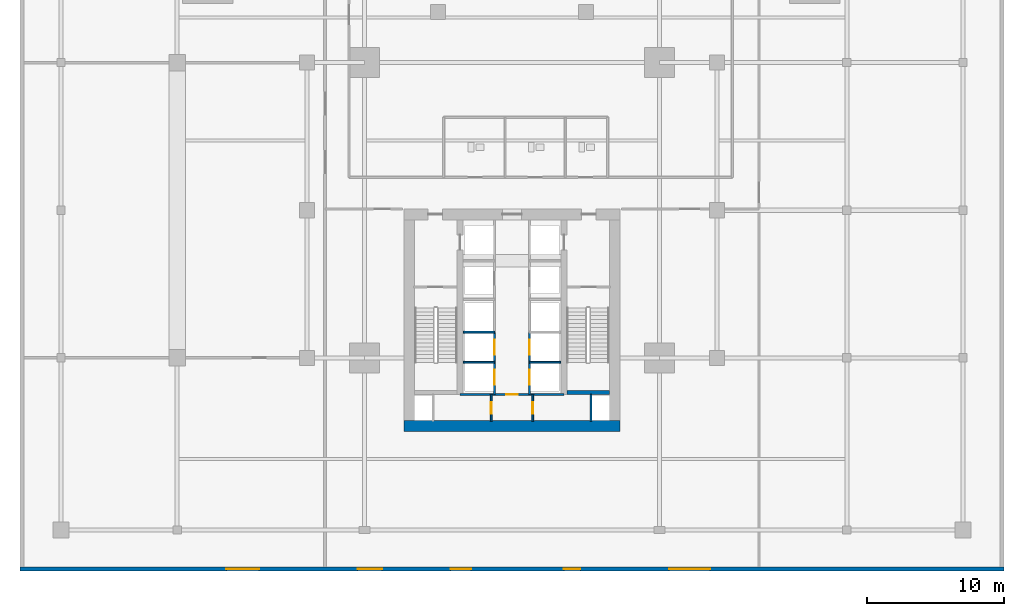
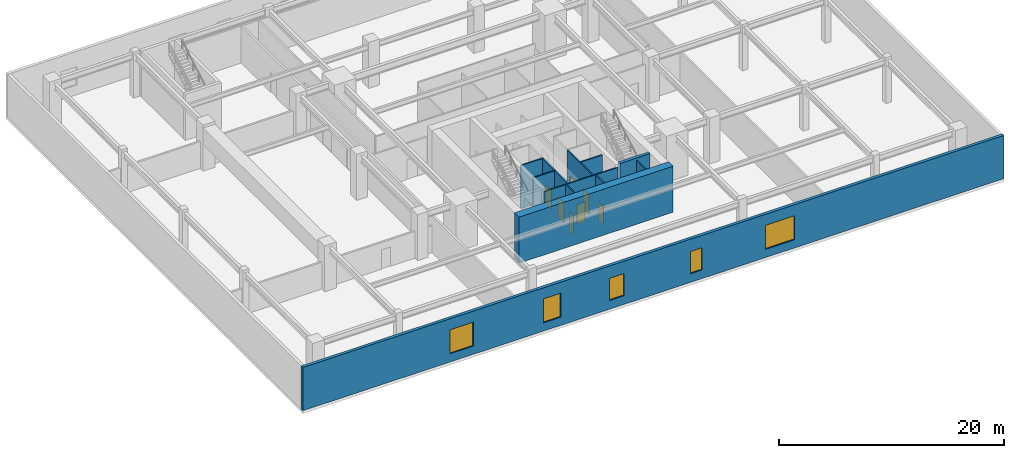
# One storey, part 4 of 10: 12 walls, 7 doors, 5 windows, 12 openings.
"""IFC4 building model written with IfcOpenShell, lengths in metres."""

from ifc_helpers import new_model, si_unit, direction, frame, frame_2d, origin, place, context, subcontext, project, spatial, rectangle, extrude, material, layer, layer_set, type_object, element, fill, save


model = new_model("IFC4")

# Units and contexts
model_context = context("Model", 3, precision=1e-05, world=origin(), true_north=direction((0.0, 1.0)))
body_context = subcontext(model_context, "Body", "Model", "MODEL_VIEW")
ifc_project = project(units=[si_unit("LENGTHUNIT", "METRE"), si_unit("AREAUNIT", "SQUARE_METRE"), si_unit("VOLUMEUNIT", "CUBIC_METRE"), si_unit("PLANEANGLEUNIT", "RADIAN"), si_unit("MASSUNIT", "GRAM", prefix="KILO")], contexts=[model_context])

# Site, building, storey
site_placement = place(None, origin())
site = spatial("IfcSite", under=ifc_project, at=site_placement, CompositionType="ELEMENT")
building_placement = place(site_placement, origin())
building = spatial("IfcBuilding", under=site, at=building_placement, Name="Krantzveldt Concourse Tower", CompositionType="ELEMENT")
storey_placement = place(building_placement, frame((0.0, 0.0, 5.39990234375)))
storey = spatial("IfcBuildingStorey", under=building, at=storey_placement, Name="L01", CompositionType="ELEMENT", Elevation=5.39990234375)

# Wall, openings, windows
ifc_material_1 = material(Name="Concrete C40/50", Category="concrete")
ifc_layer_1 = layer(ifc_material_1, 0.300048828125, Name="Concrete C40/50", Category="concrete")
ifc_layer_set_1 = layer_set([ifc_layer_1], Name="Concrete C40/50 (WL-EXT-GRAN300)")
wall_type_1 = type_object("IfcWallType", Name="WL-EXT-GRAN300", PredefinedType="SOLIDWALL", material=ifc_layer_set_1)
wall_1_placement = place(storey_placement, frame((72.0, 0.449951171875, 0.0), z_axis=(0.0, 0.0, 1.0), x_axis=(-1.0, 0.0, 0.0)))
wall_1 = element("IfcWall", 1, at=wall_1_placement, inside=storey, type_object=wall_type_1, Name="EW-L01-S", PredefinedType="SOLIDWALL", context=body_context, shape_type="SweptSolid", body=[
    extrude(rectangle(XDim=72.0, YDim=0.300048828125, at=frame_2d((36.0, 0.0))), origin(), (0.0, 0.0, 1.0), 4.7001953125),
])
opening_1_placement = place(wall_1_placement, frame((54.5, 0.0, 0.89990234375)))
opening_1 = element("IfcOpeningElement", 2, at=opening_1_placement, cuts=wall_1, Name="Opening W-POD-2400x2600", PredefinedType="OPENING", context=body_context, shape_type="SweptSolid", body=[
    extrude(rectangle(XDim=2.39990234375, YDim=2.60009765625, at=frame_2d((1.199951171875, 1.300048828125))), frame((0.0, 0.16015625, 0.0), z_axis=(0.0, -1.0, 0.0), x_axis=(1.0, 0.0, 0.0)), (0.0, 0.0, 1.0), 0.320068359375),
])
opening_2_placement = place(wall_1_placement, frame((45.5, 0.0, 0.89990234375)))
opening_2 = element("IfcOpeningElement", 3, at=opening_2_placement, cuts=wall_1, Name="Opening W-POD-1800x2600", PredefinedType="OPENING", context=body_context, shape_type="SweptSolid", body=[
    extrude(rectangle(XDim=1.800048828125, YDim=2.60009765625, at=frame_2d((0.89990234375, 1.300048828125))), frame((0.0, 0.16015625, 0.0), z_axis=(0.0, -1.0, 0.0), x_axis=(1.0, 0.0, 0.0)), (0.0, 0.0, 1.0), 0.320068359375),
])
opening_3_placement = place(wall_1_placement, frame((39.0, 0.0, 0.949951171875)))
opening_3 = element("IfcOpeningElement", 4, at=opening_3_placement, cuts=wall_1, Name="Opening W-POD-1500x2400", PredefinedType="OPENING", context=body_context, shape_type="SweptSolid", body=[
    extrude(rectangle(XDim=1.5, YDim=2.39990234375, at=frame_2d((0.75, 1.199951171875))), frame((0.0, 0.16015625, 0.0), z_axis=(0.0, -1.0, 0.0), x_axis=(1.0, 0.0, 0.0)), (0.0, 0.0, 1.0), 0.320068359375),
])
opening_4_placement = place(wall_1_placement, frame((31.0, 0.0, 0.949951171875)))
opening_4 = element("IfcOpeningElement", 5, at=opening_4_placement, cuts=wall_1, Name="Opening W-POD-1200x2400", PredefinedType="OPENING", context=body_context, shape_type="SweptSolid", body=[
    extrude(rectangle(XDim=1.199951171875, YDim=2.39990234375, at=frame_2d((0.60009765625, 1.199951171875))), frame((0.0, 0.16015625, 0.0), z_axis=(0.0, -1.0, 0.0), x_axis=(1.0, 0.0, 0.0)), (0.0, 0.0, 1.0), 0.320068359375),
])
opening_5_placement = place(wall_1_placement, frame((21.5, 0.0, 0.89990234375)))
opening_5 = element("IfcOpeningElement", 6, at=opening_5_placement, cuts=wall_1, Name="Opening W-POD-3000x2600", PredefinedType="OPENING", context=body_context, shape_type="SweptSolid", body=[
    extrude(rectangle(XDim=3.0, YDim=2.60009765625, at=frame_2d((1.5, 1.300048828125))), frame((0.0, 0.16015625, 0.0), z_axis=(0.0, -1.0, 0.0), x_axis=(1.0, 0.0, 0.0)), (0.0, 0.0, 1.0), 0.320068359375),
])
ifc_material_2 = material(Name="Bronze-tinted laminated low-E IGU glass", Category="glass")
window_type_1 = type_object("IfcWindowType", Name="WN-POD-1200x2400", PartitioningType="SINGLE_PANEL", PredefinedType="WINDOW", material=ifc_material_2)
window_1_placement = place(opening_4_placement, origin())
window_1 = element("IfcWindow", 7, at=window_1_placement, inside=storey, type_object=window_type_1, Name="WN-L01-S04", OverallHeight=2.39990234375, OverallWidth=1.199951171875, PartitioningType="SINGLE_PANEL", PredefinedType="WINDOW", context=body_context, shape_type="SweptSolid", body=[
    extrude(rectangle(XDim=1.199951171875, YDim=2.39990234375, at=frame_2d((0.60009765625, 1.199951171875))), frame((0.0, 0.030029296875, 0.0), z_axis=(0.0, -1.0, 0.0), x_axis=(1.0, 0.0, 0.0)), (0.0, 0.0, 1.0), 0.06005859375),
])
fill(opening_4, window_1)
window_type_2 = type_object("IfcWindowType", Name="WN-POD-1500x2400", PartitioningType="SINGLE_PANEL", PredefinedType="WINDOW", material=ifc_material_2)
window_2_placement = place(opening_3_placement, origin())
window_2 = element("IfcWindow", 8, at=window_2_placement, inside=storey, type_object=window_type_2, Name="WN-L01-S03", OverallHeight=2.39990234375, OverallWidth=1.5, PartitioningType="SINGLE_PANEL", PredefinedType="WINDOW", context=body_context, shape_type="SweptSolid", body=[
    extrude(rectangle(XDim=1.5, YDim=2.39990234375, at=frame_2d((0.75, 1.199951171875))), frame((0.0, 0.030029296875, 0.0), z_axis=(0.0, -1.0, 0.0), x_axis=(1.0, 0.0, 0.0)), (0.0, 0.0, 1.0), 0.06005859375),
])
fill(opening_3, window_2)
window_type_3 = type_object("IfcWindowType", Name="WN-POD-1800x2600", PartitioningType="SINGLE_PANEL", PredefinedType="WINDOW", material=ifc_material_2)
window_3_placement = place(opening_2_placement, origin())
window_3 = element("IfcWindow", 9, at=window_3_placement, inside=storey, type_object=window_type_3, Name="WN-L01-S02", OverallHeight=2.60009765625, OverallWidth=1.800048828125, PartitioningType="SINGLE_PANEL", PredefinedType="WINDOW", context=body_context, shape_type="SweptSolid", body=[
    extrude(rectangle(XDim=1.800048828125, YDim=2.60009765625, at=frame_2d((0.89990234375, 1.300048828125))), frame((0.0, 0.030029296875, 0.0), z_axis=(0.0, -1.0, 0.0), x_axis=(1.0, 0.0, 0.0)), (0.0, 0.0, 1.0), 0.06005859375),
])
fill(opening_2, window_3)
window_type_4 = type_object("IfcWindowType", Name="WN-POD-2400x2600", PartitioningType="SINGLE_PANEL", PredefinedType="WINDOW", material=ifc_material_2)
window_4_placement = place(opening_1_placement, origin())
window_4 = element("IfcWindow", 10, at=window_4_placement, inside=storey, type_object=window_type_4, Name="WN-L01-S01", OverallHeight=2.60009765625, OverallWidth=2.39990234375, PartitioningType="SINGLE_PANEL", PredefinedType="WINDOW", context=body_context, shape_type="SweptSolid", body=[
    extrude(rectangle(XDim=2.39990234375, YDim=2.60009765625, at=frame_2d((1.199951171875, 1.300048828125))), frame((0.0, 0.030029296875, 0.0), z_axis=(0.0, -1.0, 0.0), x_axis=(1.0, 0.0, 0.0)), (0.0, 0.0, 1.0), 0.06005859375),
])
fill(opening_1, window_4)
window_type_5 = type_object("IfcWindowType", Name="WN-POD-3000x2600", PartitioningType="SINGLE_PANEL", PredefinedType="WINDOW", material=ifc_material_2)
window_5_placement = place(opening_5_placement, origin())
window_5 = element("IfcWindow", 11, at=window_5_placement, inside=storey, type_object=window_type_5, Name="WN-L01-S05", OverallHeight=2.60009765625, OverallWidth=3.0, PartitioningType="SINGLE_PANEL", PredefinedType="WINDOW", context=body_context, shape_type="SweptSolid", body=[
    extrude(rectangle(XDim=3.0, YDim=2.60009765625, at=frame_2d((1.5, 1.300048828125))), frame((0.0, 0.030029296875, 0.0), z_axis=(0.0, -1.0, 0.0), x_axis=(1.0, 0.0, 0.0)), (0.0, 0.0, 1.0), 0.06005859375),
])
fill(opening_5, window_5)

# Wall, opening, door
ifc_material_3 = material(Name="Fire-rated gypsum plasterboard on steel stud", Category="steel")
ifc_layer_2 = layer(ifc_material_3, 0.1201171875, Name="Fire-rated gypsum plasterboard on steel stud", Category="steel")
ifc_layer_set_2 = layer_set([ifc_layer_2], Name="Fire-rated gypsum plasterboard on steel stud (WL-PART-120)")
wall_type_2 = type_object("IfcWallType", Name="WL-PART-120", PredefinedType="PARTITIONING", material=ifc_layer_set_2)
wall_2_placement = place(storey_placement, frame((32.2099609375, 13.219970703125, 0.0), z_axis=(0.0, 0.0, 1.0), x_axis=(1.0, 0.0, 0.0)))
wall_2 = element("IfcWall", 12, at=wall_2_placement, inside=storey, type_object=wall_type_2, Name="WP-L01-CS2H", PredefinedType="PARTITIONING", context=body_context, shape_type="SweptSolid", body=[
    extrude(rectangle(XDim=7.580078125, YDim=0.1201171875, at=frame_2d((3.7900390625, 0.0))), origin(), (0.0, 0.0, 1.0), 4.7001953125),
])
opening_6_placement = place(wall_2_placement, frame((3.364990234375, 0.0, 0.0)))
opening_6 = element("IfcOpeningElement", 13, at=opening_6_placement, cuts=wall_2, Name="Opening D-IN085", PredefinedType="OPENING", context=body_context, shape_type="SweptSolid", body=[
    extrude(rectangle(XDim=0.85009765625, YDim=2.10009765625, at=frame_2d((0.425048828125, 1.050048828125))), frame((0.0, 0.070068359375, 0.0), z_axis=(0.0, -1.0, 0.0), x_axis=(1.0, 0.0, 0.0)), (0.0, 0.0, 1.0), 0.14013671875),
])
ifc_material_4 = material(Name="Hardwood timber", Category="wood")
door_type_1 = type_object("IfcDoorType", Name="DR-INT-850", OperationType="SINGLE_SWING_LEFT", PredefinedType="DOOR", material=ifc_material_4)
door_1_placement = place(opening_6_placement, origin())
door_1 = element("IfcDoor", 14, at=door_1_placement, inside=storey, type_object=door_type_1, Name="DR-L01-LLBS", OperationType="SINGLE_SWING_RIGHT", OverallHeight=2.10009765625, OverallWidth=0.85009765625, PredefinedType="DOOR", context=body_context, shape_type="SweptSolid", body=[
    extrude(rectangle(XDim=0.85009765625, YDim=2.10009765625, at=frame_2d((0.425048828125, 1.050048828125))), frame((0.0, 0.02490234375, 0.0), z_axis=(0.0, -1.0, 0.0), x_axis=(1.0, 0.0, 0.0)), (0.0, 0.0, 1.0), 0.050048828125),
])
fill(opening_6, door_1)

wall_3_placement = place(storey_placement, frame((34.47998046875, 11.25, 0.0), z_axis=(0.0, 0.0, 1.0), x_axis=(0.0, 1.0, 0.0)))
wall_3 = element("IfcWall", 15, at=wall_3_placement, inside=storey, type_object=wall_type_2, Name="WP-L01-CSB-VL", PredefinedType="PARTITIONING", context=body_context, shape_type="SweptSolid", body=[
    extrude(rectangle(XDim=1.969970703125, YDim=0.1201171875, at=frame_2d((0.98486328125, 0.0))), origin(), (0.0, 0.0, 1.0), 4.7001953125),
])
opening_7_placement = place(wall_3_placement, frame((0.544921875, 0.0, 0.0)))
opening_7 = element("IfcOpeningElement", 16, at=opening_7_placement, cuts=wall_3, Name="Opening D-IN085", PredefinedType="OPENING", context=body_context, shape_type="SweptSolid", body=[
    extrude(rectangle(XDim=0.85009765625, YDim=2.10009765625, at=frame_2d((0.425048828125, 1.050048828125))), frame((0.0, 0.070068359375, 0.0), z_axis=(0.0, -1.0, 0.0), x_axis=(1.0, 0.0, 0.0)), (0.0, 0.0, 1.0), 0.14013671875),
])
door_2_placement = place(opening_7_placement, origin())
door_2 = element("IfcDoor", 17, at=door_2_placement, inside=storey, type_object=door_type_1, Name="DR-L01-CSB1", OperationType="SINGLE_SWING_LEFT", OverallHeight=2.10009765625, OverallWidth=0.85009765625, PredefinedType="DOOR", context=body_context, shape_type="SweptSolid", body=[
    extrude(rectangle(XDim=0.85009765625, YDim=2.10009765625, at=frame_2d((0.425048828125, 1.050048828125))), frame((0.0, 0.02490234375, 0.0), z_axis=(0.0, -1.0, 0.0), x_axis=(1.0, 0.0, 0.0)), (0.0, 0.0, 1.0), 0.050048828125),
])
fill(opening_7, door_2)

wall_4_placement = place(storey_placement, frame((37.52001953125, 11.25, 0.0), z_axis=(0.0, 0.0, 1.0), x_axis=(0.0, 1.0, 0.0)))
wall_4 = element("IfcWall", 18, at=wall_4_placement, inside=storey, type_object=wall_type_2, Name="WP-L01-CSB-VR", PredefinedType="PARTITIONING", context=body_context, shape_type="SweptSolid", body=[
    extrude(rectangle(XDim=1.969970703125, YDim=0.1201171875, at=frame_2d((0.98486328125, 0.0))), origin(), (0.0, 0.0, 1.0), 4.7001953125),
])
opening_8_placement = place(wall_4_placement, frame((0.544921875, 0.0, 0.0)))
opening_8 = element("IfcOpeningElement", 19, at=opening_8_placement, cuts=wall_4, Name="Opening D-IN085", PredefinedType="OPENING", context=body_context, shape_type="SweptSolid", body=[
    extrude(rectangle(XDim=0.85009765625, YDim=2.10009765625, at=frame_2d((0.425048828125, 1.050048828125))), frame((0.0, 0.070068359375, 0.0), z_axis=(0.0, -1.0, 0.0), x_axis=(1.0, 0.0, 0.0)), (0.0, 0.0, 1.0), 0.14013671875),
])
door_3_placement = place(opening_8_placement, origin())
door_3 = element("IfcDoor", 20, at=door_3_placement, inside=storey, type_object=door_type_1, Name="DR-L01-CSB2", OperationType="SINGLE_SWING_RIGHT", OverallHeight=2.10009765625, OverallWidth=0.85009765625, PredefinedType="DOOR", context=body_context, shape_type="SweptSolid", body=[
    extrude(rectangle(XDim=0.85009765625, YDim=2.10009765625, at=frame_2d((0.425048828125, 1.050048828125))), frame((0.0, 0.02490234375, 0.0), z_axis=(0.0, -1.0, 0.0), x_axis=(1.0, 0.0, 0.0)), (0.0, 0.0, 1.0), 0.050048828125),
])
fill(opening_8, door_3)

# Wall
ifc_layer_3 = layer(ifc_material_3, 0.139892578125, Name="Fire-rated gypsum plasterboard on steel stud", Category="steel")
ifc_layer_set_3 = layer_set([ifc_layer_3], Name="Fire-rated gypsum plasterboard on steel stud (WL-PART-FR140)")
wall_type_3 = type_object("IfcWallType", Name="WL-PART-FR140", PredefinedType="PARTITIONING", material=ifc_layer_set_3)
wall_5_placement = place(storey_placement, frame((32.449951171875, 17.780029296875, 0.0), z_axis=(0.0, 0.0, 1.0), x_axis=(1.0, 0.0, 0.0)))
element("IfcWall", 21, at=wall_5_placement, inside=storey, type_object=wall_type_3, Name="WP-L01-DIVW2", PredefinedType="PARTITIONING", context=body_context, shape_type="SweptSolid", body=[
    extrude(rectangle(XDim=2.27001953125, YDim=0.139892578125, at=frame_2d((1.135009765625, 0.0))), origin(), (0.0, 0.0, 1.0), 4.7001953125),
])

# Wall, openings, doors
wall_6_placement = place(storey_placement, frame((34.719970703125, 13.219970703125, 0.0), z_axis=(0.0, 0.0, 1.0), x_axis=(0.0, 1.0, 0.0)))
wall_6 = element("IfcWall", 22, at=wall_6_placement, inside=storey, type_object=wall_type_3, Name="WP-L01-SHSW", PredefinedType="PARTITIONING", context=body_context, shape_type="SweptSolid", body=[
    extrude(rectangle(XDim=4.56005859375, YDim=0.139892578125, at=frame_2d((2.280029296875, 0.0))), origin(), (0.0, 0.0, 1.0), 4.7001953125),
])
opening_9_placement = place(wall_6_placement, frame((0.7099609375, 0.0, 0.0)))
opening_9 = element("IfcOpeningElement", 23, at=opening_9_placement, cuts=wall_6, Name="Opening LD", PredefinedType="OPENING", context=body_context, shape_type="SweptSolid", body=[
    extrude(rectangle(XDim=1.10009765625, YDim=2.14990234375, at=frame_2d((0.550048828125, 1.074951171875))), frame((0.0, 0.080078125, 0.0), z_axis=(0.0, -1.0, 0.0), x_axis=(1.0, 0.0, 0.0)), (0.0, 0.0, 1.0), 0.159912109375),
])
opening_10_placement = place(wall_6_placement, frame((2.909912109375, 0.0, 0.0)))
opening_10 = element("IfcOpeningElement", 24, at=opening_10_placement, cuts=wall_6, Name="Opening LD", PredefinedType="OPENING", context=body_context, shape_type="SweptSolid", body=[
    extrude(rectangle(XDim=1.10009765625, YDim=2.14990234375, at=frame_2d((0.550048828125, 1.074951171875))), frame((0.0, 0.080078125, 0.0), z_axis=(0.0, -1.0, 0.0), x_axis=(1.0, 0.0, 0.0)), (0.0, 0.0, 1.0), 0.159912109375),
])
ifc_material_5 = material(Name="Stainless steel 316L", Category="steel")
door_type_2 = type_object("IfcDoorType", Name="DR-SLIDE-LD1100", OperationType="DOUBLE_DOOR_SLIDING", PredefinedType="DOOR", material=ifc_material_5)
door_4_placement = place(opening_9_placement, origin())
door_4 = element("IfcDoor", 25, at=door_4_placement, inside=storey, type_object=door_type_2, Name="LD-L01-PL1", OperationType="DOUBLE_DOOR_SLIDING", OverallHeight=2.14990234375, OverallWidth=1.10009765625, PredefinedType="DOOR", context=body_context, shape_type="SweptSolid", body=[
    extrude(rectangle(XDim=1.10009765625, YDim=2.14990234375, at=frame_2d((0.550048828125, 1.074951171875))), frame((0.0, 0.02490234375, 0.0), z_axis=(0.0, -1.0, 0.0), x_axis=(1.0, 0.0, 0.0)), (0.0, 0.0, 1.0), 0.050048828125),
])
fill(opening_9, door_4)
door_5_placement = place(opening_10_placement, origin())
door_5 = element("IfcDoor", 26, at=door_5_placement, inside=storey, type_object=door_type_2, Name="LD-L01-PL2", OperationType="DOUBLE_DOOR_SLIDING", OverallHeight=2.14990234375, OverallWidth=1.10009765625, PredefinedType="DOOR", context=body_context, shape_type="SweptSolid", body=[
    extrude(rectangle(XDim=1.10009765625, YDim=2.14990234375, at=frame_2d((0.550048828125, 1.074951171875))), frame((0.0, 0.02490234375, 0.0), z_axis=(0.0, -1.0, 0.0), x_axis=(1.0, 0.0, 0.0)), (0.0, 0.0, 1.0), 0.050048828125),
])
fill(opening_10, door_5)

# Wall
wall_7_placement = place(storey_placement, frame((32.449951171875, 15.580078125, 0.0), z_axis=(0.0, 0.0, 1.0), x_axis=(1.0, 0.0, 0.0)))
element("IfcWall", 27, at=wall_7_placement, inside=storey, type_object=wall_type_3, Name="WP-L01-DIVW1", PredefinedType="PARTITIONING", context=body_context, shape_type="SweptSolid", body=[
    extrude(rectangle(XDim=2.27001953125, YDim=0.139892578125, at=frame_2d((1.135009765625, 0.0))), origin(), (0.0, 0.0, 1.0), 4.7001953125),
])

# Wall, openings, doors
wall_8_placement = place(storey_placement, frame((37.280029296875, 13.219970703125, 0.0), z_axis=(0.0, 0.0, 1.0), x_axis=(0.0, 1.0, 0.0)))
wall_8 = element("IfcWall", 28, at=wall_8_placement, inside=storey, type_object=wall_type_3, Name="WP-L01-SHSE", PredefinedType="PARTITIONING", context=body_context, shape_type="SweptSolid", body=[
    extrude(rectangle(XDim=4.56005859375, YDim=0.139892578125, at=frame_2d((2.280029296875, 0.0))), origin(), (0.0, 0.0, 1.0), 4.7001953125),
])
opening_11_placement = place(wall_8_placement, frame((0.7099609375, 0.0, 0.0)))
opening_11 = element("IfcOpeningElement", 29, at=opening_11_placement, cuts=wall_8, Name="Opening LD", PredefinedType="OPENING", context=body_context, shape_type="SweptSolid", body=[
    extrude(rectangle(XDim=1.10009765625, YDim=2.14990234375, at=frame_2d((0.550048828125, 1.074951171875))), frame((0.0, 0.080078125, 0.0), z_axis=(0.0, -1.0, 0.0), x_axis=(1.0, 0.0, 0.0)), (0.0, 0.0, 1.0), 0.159912109375),
])
opening_12_placement = place(wall_8_placement, frame((2.909912109375, 0.0, 0.0)))
opening_12 = element("IfcOpeningElement", 30, at=opening_12_placement, cuts=wall_8, Name="Opening LD", PredefinedType="OPENING", context=body_context, shape_type="SweptSolid", body=[
    extrude(rectangle(XDim=1.10009765625, YDim=2.14990234375, at=frame_2d((0.550048828125, 1.074951171875))), frame((0.0, 0.080078125, 0.0), z_axis=(0.0, -1.0, 0.0), x_axis=(1.0, 0.0, 0.0)), (0.0, 0.0, 1.0), 0.159912109375),
])
door_6_placement = place(opening_11_placement, origin())
door_6 = element("IfcDoor", 31, at=door_6_placement, inside=storey, type_object=door_type_2, Name="LD-L01-PM1", OperationType="DOUBLE_DOOR_SLIDING", OverallHeight=2.14990234375, OverallWidth=1.10009765625, PredefinedType="DOOR", context=body_context, shape_type="SweptSolid", body=[
    extrude(rectangle(XDim=1.10009765625, YDim=2.14990234375, at=frame_2d((0.550048828125, 1.074951171875))), frame((0.0, 0.02490234375, 0.0), z_axis=(0.0, -1.0, 0.0), x_axis=(1.0, 0.0, 0.0)), (0.0, 0.0, 1.0), 0.050048828125),
])
fill(opening_11, door_6)
door_7_placement = place(opening_12_placement, origin())
door_7 = element("IfcDoor", 32, at=door_7_placement, inside=storey, type_object=door_type_2, Name="LD-L01-PM2", OperationType="DOUBLE_DOOR_SLIDING", OverallHeight=2.14990234375, OverallWidth=1.10009765625, PredefinedType="DOOR", context=body_context, shape_type="SweptSolid", body=[
    extrude(rectangle(XDim=1.10009765625, YDim=2.14990234375, at=frame_2d((0.550048828125, 1.074951171875))), frame((0.0, 0.02490234375, 0.0), z_axis=(0.0, -1.0, 0.0), x_axis=(1.0, 0.0, 0.0)), (0.0, 0.0, 1.0), 0.050048828125),
])
fill(opening_12, door_7)

# Walls
wall_9_placement = place(storey_placement, frame((37.280029296875, 15.580078125, 0.0), z_axis=(0.0, 0.0, 1.0), x_axis=(1.0, 0.0, 0.0)))
element("IfcWall", 33, at=wall_9_placement, inside=storey, type_object=wall_type_3, Name="WP-L01-DIVE1", PredefinedType="PARTITIONING", context=body_context, shape_type="SweptSolid", body=[
    extrude(rectangle(XDim=2.27001953125, YDim=0.139892578125, at=frame_2d((1.135009765625, 0.0))), origin(), (0.0, 0.0, 1.0), 4.7001953125),
])
wall_10_placement = place(storey_placement, frame((41.780029296875, 11.25, 0.0), z_axis=(0.0, 0.0, 1.0), x_axis=(0.0, 1.0, 0.0)))
element("IfcWall", 34, at=wall_10_placement, inside=storey, type_object=wall_type_3, Name="WP-L01-RSE", PredefinedType="PARTITIONING", context=body_context, shape_type="SweptSolid", body=[
    extrude(rectangle(XDim=1.969970703125, YDim=0.1201171875, at=frame_2d((0.98486328125, 0.0))), origin(), (0.0, 0.0, 1.0), 4.7001953125),
])
ifc_material_6 = material(Name="Concrete C50/60", Category="concrete")
ifc_layer_4 = layer(ifc_material_6, 0.300048828125, Name="Concrete C50/60", Category="concrete")
ifc_layer_set_4 = layer_set([ifc_layer_4], Name="Concrete C50/60 (WL-SHEAR-300)")
wall_type_4 = type_object("IfcWallType", Name="WL-SHEAR-300", PredefinedType="SHEAR", material=ifc_layer_set_4)
wall_11_placement = place(storey_placement, frame((40.02001953125, 13.3701171875, 0.0), z_axis=(0.0, 0.0, 1.0), x_axis=(1.0, 0.0, 0.0)))
element("IfcWall", 35, at=wall_11_placement, inside=storey, type_object=wall_type_4, Name="CW-L01-ST2S", PredefinedType="SHEAR", context=body_context, shape_type="SweptSolid", body=[
    extrude(rectangle(XDim=3.10009765625, YDim=0.300048828125, at=frame_2d((1.550048828125, 0.0))), origin(), (0.0, 0.0, 1.0), 5.0),
])
ifc_material_7 = material(Name="Concrete C60/75", Category="concrete")
ifc_layer_5 = layer(ifc_material_7, 0.800048828125, Name="Concrete C60/75", Category="concrete")
ifc_layer_set_5 = layer_set([ifc_layer_5], Name="Concrete C60/75 (WL-SHEAR-800)")
wall_type_5 = type_object("IfcWallType", Name="WL-SHEAR-800", PredefinedType="SHEAR", material=ifc_layer_set_5)
wall_12_placement = place(storey_placement, frame((28.080078125, 10.89990234375, 0.0), z_axis=(0.0, 0.0, 1.0), x_axis=(1.0, 0.0, 0.0)))
element("IfcWall", 36, at=wall_12_placement, inside=storey, type_object=wall_type_5, Name="CW-L01-S", PredefinedType="SHEAR", context=body_context, shape_type="SweptSolid", body=[
    extrude(rectangle(XDim=15.83984375, YDim=0.800048828125, at=frame_2d((7.919921875, 0.0))), origin(), (0.0, 0.0, 1.0), 5.0),
])

save(model, "model.ifc")
